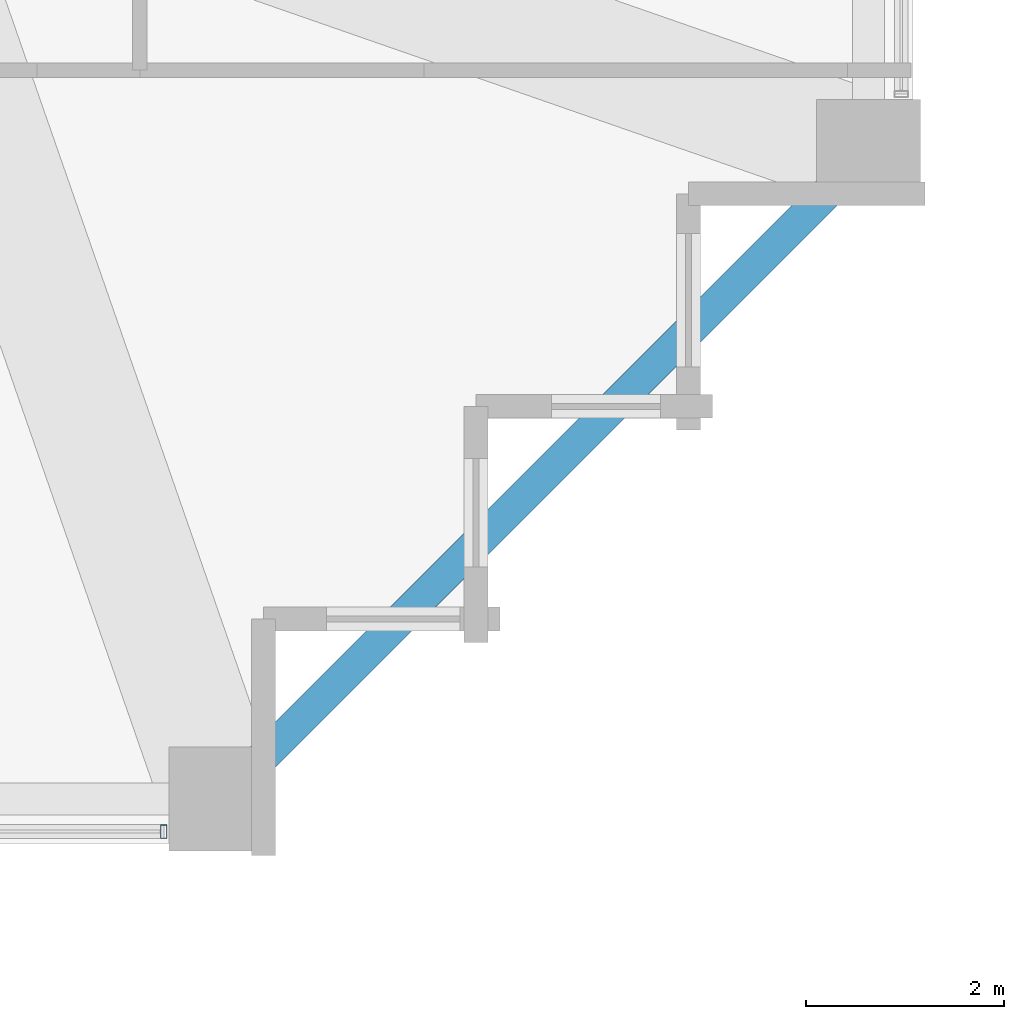
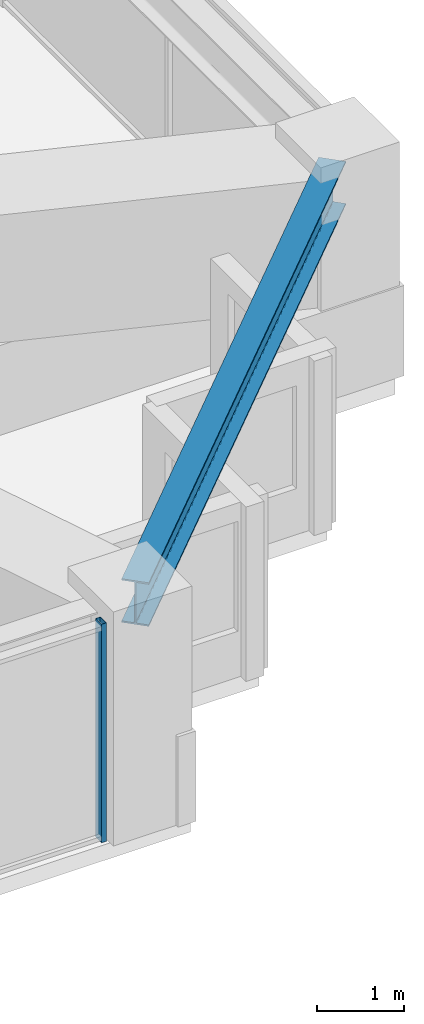
# One storey, part 13 of 39: 1 beam, 1 member, 1 element without a shape of its own.
"""IFC4 building model written with IfcOpenShell, lengths in metres."""

from ifc_helpers import new_model, si_unit, direction, frame, origin, origin_2d, place, context, subcontext, project, spatial, hollow_rectangle, i_section, extrude, material, material_profile, profile_set, type_object, element, aggregate, save


model = new_model("IFC4")

# Units and contexts
model_context = context("Model", 3, precision=1e-05, world=origin(), true_north=direction((0.0, 1.0)))
body_context = subcontext(model_context, "Body", "Model", "MODEL_VIEW")
ifc_project = project(units=[si_unit("LENGTHUNIT", "METRE"), si_unit("AREAUNIT", "SQUARE_METRE"), si_unit("VOLUMEUNIT", "CUBIC_METRE"), si_unit("PLANEANGLEUNIT", "RADIAN"), si_unit("MASSUNIT", "GRAM", prefix="KILO")], contexts=[model_context])

# Site, building, storey
site_placement = place(None, origin())
site = spatial("IfcSite", under=ifc_project, at=site_placement, CompositionType="ELEMENT")
building_placement = place(site_placement, origin())
building = spatial("IfcBuilding", under=site, at=building_placement, Name="Kolvaren Belvedere", CompositionType="ELEMENT")
storey_placement = place(building_placement, frame((0.0, 0.0, 85.39990234375)))
storey = spatial("IfcBuildingStorey", under=building, at=storey_placement, Name="L24", CompositionType="ELEMENT", Elevation=85.39990234375)

# Beam
ifc_material_1 = material(Name="Structural steel ASTM A992 Grade 50", Category="steel")
ifc_material_profile_1 = material_profile(ifc_material_1, i_section(OverallWidth=0.324951171875, OverallDepth=0.615966796875, WebThickness=0.013916015625, FlangeThickness=0.021484375, FilletRadius=0.02001953125, at=origin_2d()), Name="W24X117")
ifc_profile_set_1 = profile_set([ifc_material_profile_1], Name="Structural steel ASTM A992 Grade 50")
beam_type = type_object("IfcBeamType", Name="BM-SPAN-W24X117", PredefinedType="SPANDREL", material=ifc_profile_set_1)
beam_placement = place(storey_placement, frame((13.567138671875, -19.782958984375, 2.772216796875), z_axis=(0.707106781187, 0.707106781187, 0.0), x_axis=(-0.707106781187, 0.707106781187, 0.0)))
element("IfcBeam", 1, at=beam_placement, inside=storey, type_object=beam_type, Name="L24 Perimeter Spandrel S4-E1", PredefinedType="SPANDREL", context=body_context, shape_type="SweptSolid", body=[
    extrude(i_section(OverallWidth=0.324951171875, OverallDepth=0.615966796875, WebThickness=0.013916015625, FlangeThickness=0.021484375, FilletRadius=0.02001953125, at=origin_2d()), origin(), (0.0, 0.0, 1.0), 8.79052734375),
])

# Curtain wall, member
ifc_material_2 = material(Name="Anodised pale-metal aluminium AA 6063-T6", Category="aluminium")
curtain_wall_type = type_object("IfcCurtainWallType", Name="CW-Z2-MID", PredefinedType="NOTDEFINED", material=ifc_material_2)
curtain_wall_placement = place(storey_placement, origin())
curtain_wall = element("IfcCurtainWall", 2, at=curtain_wall_placement, inside=storey, type_object=curtain_wall_type, Name="L24 Unitised Curtain Wall FCW-L24-S1-B1", PredefinedType="NOTDEFINED")
ifc_material_3 = material(Name="Anodised pale-metal aluminium AA 6063-T6", Category="aluminium")
ifc_material_profile_2 = material_profile(ifc_material_3, hollow_rectangle(XDim=0.06494140625, YDim=0.139892578125, WallThickness=0.00390625, at=origin_2d()), Name="ALU-MUL-140X65")
ifc_profile_set_2 = profile_set([ifc_material_profile_2], Name="Anodised pale-metal aluminium AA 6063-T6")
member_type = type_object("IfcMemberType", Name="CW-MUL-140", PredefinedType="MULLION", material=ifc_profile_set_2)
member_placement = place(storey_placement, frame((12.822509765625, -20.280029296875, 0.0), z_axis=(0.0, 0.0, 1.0), x_axis=(1.0, 0.0, 0.0)))
member = element("IfcMember", 3, at=member_placement, type_object=member_type, Name="FCW-L24-S1-B1 Unitised Mullion 1", PredefinedType="MULLION", context=body_context, shape_type="SweptSolid", body=[
    extrude(hollow_rectangle(XDim=0.06494140625, YDim=0.139892578125, WallThickness=0.00390625, at=origin_2d()), origin(), (0.0, 0.0, 1.0), 3.080078125),
])
aggregate(curtain_wall, [member])

save(model, "model.ifc")
